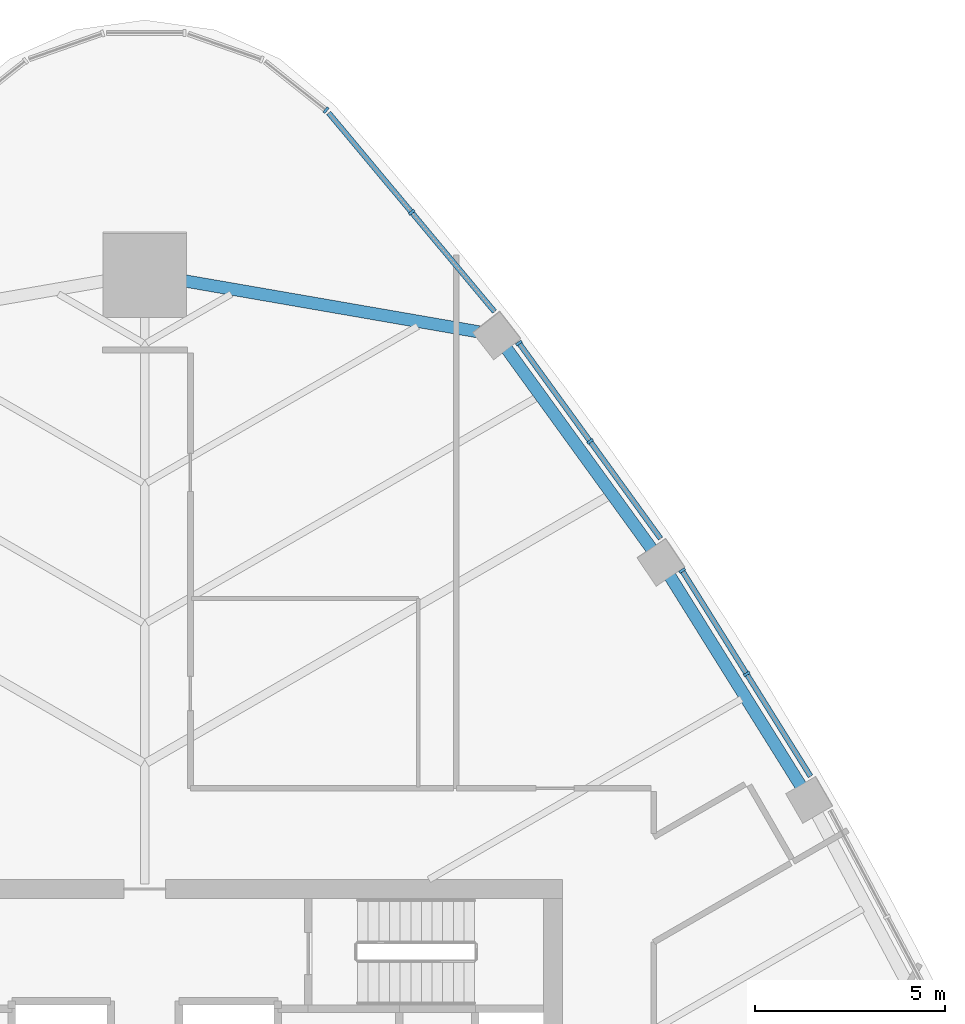
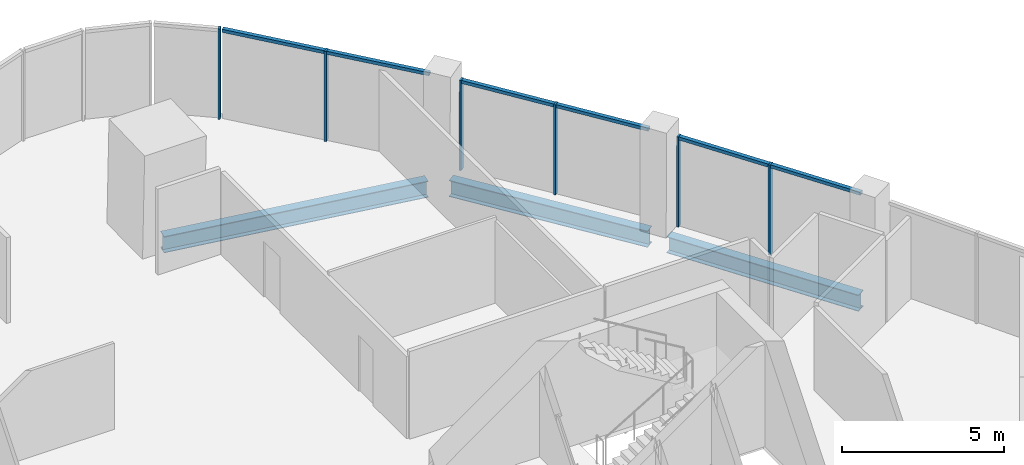
# One storey, part 6 of 18: 12 members, 3 beams, 4 elements without a shape of their own.
"""IFC4 building model written with IfcOpenShell, lengths in metres."""

from ifc_helpers import new_model, si_unit, direction, frame, origin, origin_2d, place, context, subcontext, project, spatial, rectangle, i_section, extrude, material, layer, layer_set, material_profile, profile_set, type_object, element, aggregate, save


model = new_model("IFC4")

# Units and contexts
model_context = context("Model", 3, precision=1e-05, world=origin(), true_north=direction((0.0, 1.0)))
body_context = subcontext(model_context, "Body", "Model", "MODEL_VIEW")
ifc_project = project(units=[si_unit("LENGTHUNIT", "METRE"), si_unit("AREAUNIT", "SQUARE_METRE"), si_unit("VOLUMEUNIT", "CUBIC_METRE"), si_unit("PLANEANGLEUNIT", "RADIAN"), si_unit("MASSUNIT", "GRAM", prefix="KILO")], contexts=[model_context])

# Site, building, storey
site_placement = place(None, origin())
site = spatial("IfcSite", under=ifc_project, at=site_placement, CompositionType="ELEMENT")
building_placement = place(site_placement, origin())
building = spatial("IfcBuilding", under=site, at=building_placement, Name="Sierra Prisma Convention Tower", CompositionType="ELEMENT")
storey_placement = place(building_placement, frame((0.0, 0.0, 287.0)))
storey = spatial("IfcBuildingStorey", under=building, at=storey_placement, Name="L65", CompositionType="ELEMENT", Elevation=287.0)

# Curtain wall, members
ifc_material_1 = material(Name="Aluminium and glass curtain wall", Category="aluminium")
ifc_layer = layer(ifc_material_1, 0.179931640625)
ifc_layer_set = layer_set([ifc_layer], Name="CW-1 Plain shaft curtain wall")
curtain_wall_type = type_object("IfcCurtainWallType", Name="CW-1 Plain shaft curtain wall", PredefinedType="NOTDEFINED", material=ifc_layer_set)
curtain_wall_1_placement = place(storey_placement, origin())
curtain_wall_1 = element("IfcCurtainWall", 1, at=curtain_wall_1_placement, inside=storey, type_object=curtain_wall_type, Name="CW-1 NE4 L65", PredefinedType="NOTDEFINED")
ifc_material_2 = material(Name="Aluminium 6063-T6 bronze anodised", Category="aluminium")
ifc_material_profile_1 = material_profile(ifc_material_2, rectangle(XDim=0.179931640625, YDim=0.070068359375, at=origin_2d()), Name="ALU MULLION 70x180")
ifc_profile_set_1 = profile_set([ifc_material_profile_1], Name="Aluminium 6063-T6 bronze anodised")
member_type_1 = type_object("IfcMemberType", Name="CW mullion bronze", PredefinedType="MULLION", material=ifc_profile_set_1)
member_1_placement = place(storey_placement, frame((15.843017578125, 13.410888671875, 0.0), z_axis=(0.0, 0.0, 1.0), x_axis=(-0.848320439317, -0.52948317465, 0.0)))
member_1 = element("IfcMember", 2, at=member_1_placement, type_object=member_type_1, Name="CW-1 mullion NE4.2", PredefinedType="MULLION", context=body_context, shape_type="SweptSolid", body=[
    extrude(rectangle(XDim=0.179931640625, YDim=0.070068359375, at=origin_2d()), origin(), (0.0, 0.0, 1.0), 3.39990234375),
])
member_2_placement = place(storey_placement, frame((14.143310546875, 16.1337890625, 0.0), z_axis=(0.0, 0.0, 1.0), x_axis=(-0.848320439317, -0.52948317465, 0.0)))
member_2 = element("IfcMember", 3, at=member_2_placement, type_object=member_type_1, Name="CW-1 mullion NE4.3", PredefinedType="MULLION", context=body_context, shape_type="SweptSolid", body=[
    extrude(rectangle(XDim=0.179931640625, YDim=0.070068359375, at=origin_2d()), origin(), (0.0, 0.0, 1.0), 3.39990234375),
])

curtain_wall_2_placement = place(storey_placement, origin())
curtain_wall_2 = element("IfcCurtainWall", 4, at=curtain_wall_2_placement, inside=storey, type_object=curtain_wall_type, Name="CW-1 NE5 L65", PredefinedType="NOTDEFINED")
member_3_placement = place(storey_placement, frame((11.721923828125, 19.53564453125, 0.0), z_axis=(0.0, 0.0, 1.0), x_axis=(-0.80992265193, -0.586536697821, 0.0)))
member_3 = element("IfcMember", 5, at=member_3_placement, type_object=member_type_1, Name="CW-1 mullion NE5.2", PredefinedType="MULLION", context=body_context, shape_type="SweptSolid", body=[
    extrude(rectangle(XDim=0.179931640625, YDim=0.070068359375, at=origin_2d()), origin(), (0.0, 0.0, 1.0), 3.39990234375),
])
member_4_placement = place(storey_placement, frame((9.84814453125, 22.123291015625, 0.0), z_axis=(0.0, 0.0, 1.0), x_axis=(-0.80992265193, -0.586536697821, 0.0)))
member_4 = element("IfcMember", 6, at=member_4_placement, type_object=member_type_1, Name="CW-1 mullion NE5.3", PredefinedType="MULLION", context=body_context, shape_type="SweptSolid", body=[
    extrude(rectangle(XDim=0.179931640625, YDim=0.070068359375, at=origin_2d()), origin(), (0.0, 0.0, 1.0), 3.39990234375),
])

# Curtain wall, member
curtain_wall_3_placement = place(storey_placement, origin())
curtain_wall_3 = element("IfcCurtainWall", 7, at=curtain_wall_3_placement, inside=storey, type_object=curtain_wall_type, Name="CW-1 NE6 L65", PredefinedType="NOTDEFINED")
member_5_placement = place(storey_placement, frame((7.023193359375, 25.56396484375, 0.0), z_axis=(0.0, 0.0, 1.0), x_axis=(-0.767694339749, -0.640816198857, 0.0)))
member_5 = element("IfcMember", 8, at=member_5_placement, type_object=member_type_1, Name="CW-1 mullion NE6.2", PredefinedType="MULLION", context=body_context, shape_type="SweptSolid", body=[
    extrude(rectangle(XDim=0.179931640625, YDim=0.070068359375, at=origin_2d()), origin(), (0.0, 0.0, 1.0), 3.39990234375),
])

curtain_wall_4_placement = place(storey_placement, origin())
curtain_wall_4 = element("IfcCurtainWall", 9, at=curtain_wall_4_placement, inside=storey, type_object=curtain_wall_type, Name="CW-1 N1 L65", PredefinedType="NOTDEFINED")
member_6_placement = place(storey_placement, frame((4.7685546875, 28.25390625, 0.0), z_axis=(0.0, 0.0, 1.0), x_axis=(-0.62307996015, -0.782158144661, 0.0)))
member_6 = element("IfcMember", 10, at=member_6_placement, type_object=member_type_1, Name="CW-1 mullion N1.1", PredefinedType="MULLION", context=body_context, shape_type="SweptSolid", body=[
    extrude(rectangle(XDim=0.179931640625, YDim=0.070068359375, at=origin_2d()), origin(), (0.0, 0.0, 1.0), 3.39990234375),
])
aggregate(curtain_wall_4, [member_6])

# Member
ifc_material_3 = material(Name="Aluminium 6063-T6 bronze anodised", Category="aluminium")
ifc_material_profile_2 = material_profile(ifc_material_3, rectangle(XDim=0.139892578125, YDim=0.1201171875, at=origin_2d()), Name="ALU TRANSOM 120x140")
ifc_profile_set_2 = profile_set([ifc_material_profile_2], Name="Aluminium 6063-T6 bronze anodised")
member_type_2 = type_object("IfcMemberType", Name="CW transom bronze", PredefinedType="USERDEFINED", material=ifc_profile_set_2)
member_7_placement = place(storey_placement, frame((17.52392578125, 10.717529296875, 3.340087890625), z_axis=(-0.529509608646, 0.848303939842, 0.0), x_axis=(-0.848303939842, -0.529509608646, 0.0)))
member_7 = element("IfcMember", 11, at=member_7_placement, type_object=member_type_2, Name="CW-1 transom NE4.1", ObjectType="TRANSOM", PredefinedType="USERDEFINED", context=body_context, shape_type="SweptSolid", body=[
    extrude(rectangle(XDim=0.139892578125, YDim=0.1201171875, at=origin_2d()), origin(), (0.0, 0.0, 1.0), 3.139892578125),
])

member_8_placement = place(storey_placement, frame((15.824462890625, 13.440673828125, 3.340087890625), z_axis=(-0.529509608646, 0.848303939842, 0.0), x_axis=(-0.848303939842, -0.529509608646, 0.0)))
member_8 = element("IfcMember", 12, at=member_8_placement, type_object=member_type_2, Name="CW-1 transom NE4.2", ObjectType="TRANSOM", PredefinedType="USERDEFINED", context=body_context, shape_type="SweptSolid", body=[
    extrude(rectangle(XDim=0.139892578125, YDim=0.1201171875, at=origin_2d()), origin(), (0.0, 0.0, 1.0), 3.139892578125),
])

aggregate(curtain_wall_1, [member_1, member_2, member_7, member_8])

member_9_placement = place(storey_placement, frame((13.5751953125, 16.9765625, 3.340087890625), z_axis=(-0.58653985798, 0.80992036337, 0.0), x_axis=(-0.80992036337, -0.58653985798, 0.0)))
member_9 = element("IfcMember", 13, at=member_9_placement, type_object=member_type_2, Name="CW-1 transom NE5.1", ObjectType="TRANSOM", PredefinedType="USERDEFINED", context=body_context, shape_type="SweptSolid", body=[
    extrude(rectangle(XDim=0.139892578125, YDim=0.1201171875, at=origin_2d()), origin(), (0.0, 0.0, 1.0), 3.124755859375),
])

member_10_placement = place(storey_placement, frame((11.701416015625, 19.56396484375, 3.340087890625), z_axis=(-0.586502742875, 0.809947240627, 0.0), x_axis=(-0.809947240627, -0.586502742875, 0.0)))
member_10 = element("IfcMember", 14, at=member_10_placement, type_object=member_type_2, Name="CW-1 transom NE5.2", ObjectType="TRANSOM", PredefinedType="USERDEFINED", context=body_context, shape_type="SweptSolid", body=[
    extrude(rectangle(XDim=0.139892578125, YDim=0.1201171875, at=origin_2d()), origin(), (0.0, 0.0, 1.0), 3.125),
])

aggregate(curtain_wall_2, [member_3, member_4, member_9, member_10])

member_11_placement = place(storey_placement, frame((9.205810546875, 22.94921875, 3.340087890625), z_axis=(-0.640811073109, 0.767698618327, 0.0), x_axis=(-0.767698618327, -0.640811073109, 0.0)))
member_11 = element("IfcMember", 15, at=member_11_placement, type_object=member_type_2, Name="CW-1 transom NE6.1", ObjectType="TRANSOM", PredefinedType="USERDEFINED", context=body_context, shape_type="SweptSolid", body=[
    extrude(rectangle(XDim=0.139892578125, YDim=0.1201171875, at=origin_2d()), origin(), (0.0, 0.0, 1.0), 3.37109375),
])

member_12_placement = place(storey_placement, frame((7.000732421875, 25.5908203125, 3.340087890625), z_axis=(-0.640804017401, 0.767704507791, 0.0), x_axis=(-0.767704507791, -0.640804017401, 0.0)))
member_12 = element("IfcMember", 16, at=member_12_placement, type_object=member_type_2, Name="CW-1 transom NE6.2", ObjectType="TRANSOM", PredefinedType="USERDEFINED", context=body_context, shape_type="SweptSolid", body=[
    extrude(rectangle(XDim=0.139892578125, YDim=0.1201171875, at=origin_2d()), origin(), (0.0, 0.0, 1.0), 3.37060546875),
])

aggregate(curtain_wall_3, [member_5, member_11, member_12])

# Beams
ifc_material_4 = material(Name="Steel ASTM A992 Gr 50", Category="steel")
ifc_material_profile_3 = material_profile(ifc_material_4, i_section(OverallWidth=0.324951171875, OverallDepth=0.615966796875, WebThickness=0.013916015625, FlangeThickness=0.021484375, at=origin_2d()), Name="W610x174")
ifc_profile_set_3 = profile_set([ifc_material_profile_3], Name="Steel ASTM A992 Gr 50")
beam_type = type_object("IfcBeamType", Name="Spandrel beam W610x174", PredefinedType="BEAM", material=ifc_profile_set_3)
for number, where, z_axis, x_axis, name in (
    (17, (17.3212890625, 10.381591796875, -0.4580078125), (-0.529463026019, 0.848333014847, 0.0), (-0.848333014847, -0.529463026019, 0.0), "Spandrel L65-10"),
    (18, (13.396240234375, 16.62744140625, -0.4580078125), (-0.586558320228, 0.80990699279, 0.0), (-0.80990699279, -0.586558320228, 0.0), "Spandrel L65-11"),
):
    element("IfcBeam", number, at=place(storey_placement, frame(where, z_axis=z_axis, x_axis=x_axis)), inside=storey, type_object=beam_type, Name=name, PredefinedType="BEAM", context=body_context, shape_type="SweptSolid", body=[
        extrude(i_section(OverallWidth=0.324951171875, OverallDepth=0.615966796875, WebThickness=0.013916015625, FlangeThickness=0.021484375, at=origin_2d()), origin(), (0.0, 0.0, 1.0), 6.717041015625),
    ])
beam_placement = place(storey_placement, frame((8.781494140625, 22.41845703125, -0.4580078125), z_axis=(-0.985305435596, 0.170801635194, 0.0), x_axis=(-0.170801635194, -0.985305435596, 0.0)))
element("IfcBeam", 19, at=beam_placement, inside=storey, type_object=beam_type, Name="Spandrel L65-12", PredefinedType="BEAM", context=body_context, shape_type="SweptSolid", body=[
    extrude(i_section(OverallWidth=0.324951171875, OverallDepth=0.615966796875, WebThickness=0.013916015625, FlangeThickness=0.021484375, at=origin_2d()), origin(), (0.0, 0.0, 1.0), 8.689208984375),
])

save(model, "model.ifc")
